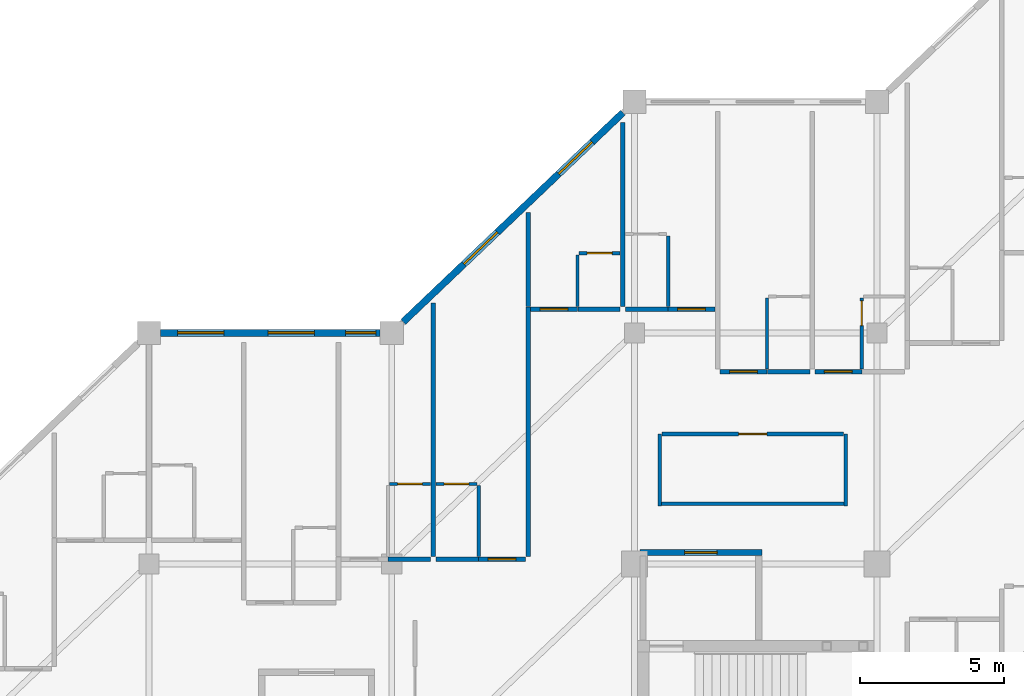
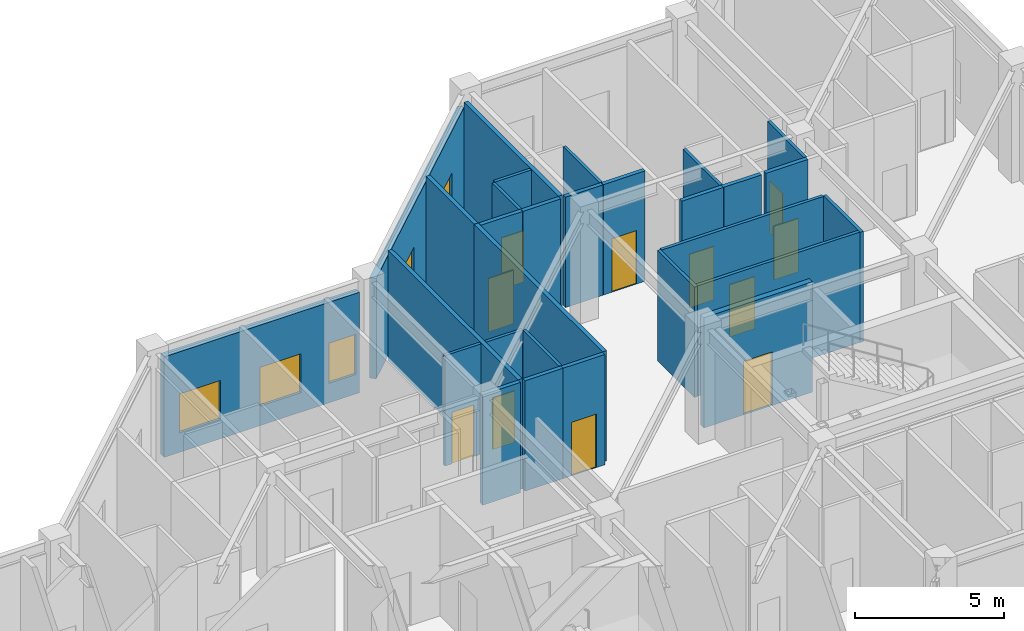
# One storey, part 31 of 37: 29 walls, 11 doors, 5 windows, 16 openings.
"""IFC4 building model written with IfcOpenShell, lengths in metres."""

from ifc_helpers import new_model, si_unit, direction, frame, frame_2d, origin, place, context, subcontext, project, spatial, rectangle, extrude, material, layer, layer_set, type_object, element, fill, save


model = new_model("IFC4")

# Units and contexts
model_context = context("Model", 3, precision=1e-05, world=origin(), true_north=direction((0.0, 1.0)))
body_context = subcontext(model_context, "Body", "Model", "MODEL_VIEW")
ifc_project = project(units=[si_unit("LENGTHUNIT", "METRE"), si_unit("AREAUNIT", "SQUARE_METRE"), si_unit("VOLUMEUNIT", "CUBIC_METRE"), si_unit("PLANEANGLEUNIT", "RADIAN"), si_unit("MASSUNIT", "GRAM", prefix="KILO")], contexts=[model_context])

# Site, building, storey
site_placement = place(None, origin())
site = spatial("IfcSite", under=ifc_project, at=site_placement, CompositionType="ELEMENT")
building_placement = place(site_placement, origin())
building = spatial("IfcBuilding", under=site, at=building_placement, Name="Naruveol Harbour Congress Hotel", CompositionType="ELEMENT")
storey_placement = place(building_placement, frame((0.0, 0.0, 16.199951171875)))
storey = spatial("IfcBuildingStorey", under=building, at=storey_placement, Name="L03", CompositionType="ELEMENT", Elevation=16.199951171875)

# Wall, opening, door
ifc_material_1 = material(Name="Moisture-Resistant Gypsum Partition", Category="gypsum")
ifc_layer_1 = layer(ifc_material_1, 0.114990234375)
ifc_layer_set_1 = layer_set([ifc_layer_1], Name="Moisture-Resistant Gypsum Partition")
wall_type_1 = type_object("IfcWallType", Name="BATHROOM MOISTURE PARTITION WALL 115", PredefinedType="PARTITIONING", material=ifc_layer_set_1)
wall_1_placement = place(storey_placement, frame((159.530029296875, 34.77001953125, 0.0), z_axis=(0.0, 0.0, 1.0), x_axis=(1.0, 0.0, 0.0)))
wall_1 = element("IfcWall", 1, at=wall_1_placement, inside=storey, type_object=wall_type_1, Name="Bathroom north wall 0469 PW-115", PredefinedType="PARTITIONING", context=body_context, shape_type="SweptSolid", body=[
    extrude(rectangle(XDim=1.409912109375, YDim=0.114990234375, at=frame_2d((0.705078125, 0.0))), origin(), (0.0, 0.0, 1.0), 4.53515625),
])
opening_1_placement = place(wall_1_placement, frame((0.27490234375, 0.0, 0.0)))
opening_1 = element("IfcOpeningElement", 2, at=opening_1_placement, cuts=wall_1, Name="Opening BD-RM0469", PredefinedType="OPENING", context=body_context, shape_type="SweptSolid", body=[
    extrude(rectangle(XDim=0.860107421875, YDim=2.1201171875, at=frame_2d((0.43017578125, 1.06005859375))), frame((0.0, 0.0673828125, 0.0), z_axis=(0.0, -1.0, 0.0), x_axis=(1.0, 0.0, 0.0)), (0.0, 0.0, 1.0), 0.135009765625),
])
ifc_material_2 = material(Name="Timber & Steel Acoustic Leaf", Category="steel")
door_type_1 = type_object("IfcDoorType", Name="GUEST BATHROOM DOOR 860X2120", OperationType="NOTDEFINED", PredefinedType="DOOR", material=ifc_material_2)
door_1_placement = place(opening_1_placement, origin())
door_1 = element("IfcDoor", 3, at=door_1_placement, inside=storey, type_object=door_type_1, Name="Bathroom Door 0469", OperationType="SINGLE_SWING_RIGHT", OverallHeight=2.1201171875, OverallWidth=0.860107421875, PredefinedType="DOOR", context=body_context, shape_type="SweptSolid", body=[
    extrude(rectangle(XDim=0.860107421875, YDim=2.1201171875, at=frame_2d((0.43017578125, 1.06005859375))), frame((0.0, 0.02490234375, 0.0), z_axis=(0.0, -1.0, 0.0), x_axis=(1.0, 0.0, 0.0)), (0.0, 0.0, 1.0), 0.050048828125),
])
fill(opening_1, door_1)

# Wall
wall_2_placement = place(storey_placement, frame((162.610107421875, 32.260009765625, 0.0), z_axis=(0.0, 0.0, 1.0), x_axis=(0.0, 1.0, 0.0)))
element("IfcWall", 4, at=wall_2_placement, inside=storey, type_object=wall_type_1, Name="Bathroom east wall 0470 PW-115", PredefinedType="PARTITIONING", context=body_context, shape_type="SweptSolid", body=[
    extrude(rectangle(XDim=2.449951171875, YDim=0.114990234375, at=frame_2d((1.22509765625, 0.0))), origin(), (0.0, 0.0, 1.0), 4.53515625),
])

# Wall, opening, door
wall_3_placement = place(storey_placement, frame((161.139892578125, 34.77001953125, 0.0), z_axis=(0.0, 0.0, 1.0), x_axis=(1.0, 0.0, 0.0)))
wall_3 = element("IfcWall", 5, at=wall_3_placement, inside=storey, type_object=wall_type_1, Name="Bathroom north wall 0470 PW-115", PredefinedType="PARTITIONING", context=body_context, shape_type="SweptSolid", body=[
    extrude(rectangle(XDim=1.41015625, YDim=0.114990234375, at=frame_2d((0.705078125, 0.0))), origin(), (0.0, 0.0, 1.0), 4.53515625),
])
opening_2_placement = place(wall_3_placement, frame((0.27490234375, 0.0, 0.0)))
opening_2 = element("IfcOpeningElement", 6, at=opening_2_placement, cuts=wall_3, Name="Opening BD-RM0470", PredefinedType="OPENING", context=body_context, shape_type="SweptSolid", body=[
    extrude(rectangle(XDim=0.860107421875, YDim=2.1201171875, at=frame_2d((0.43017578125, 1.06005859375))), frame((0.0, 0.0673828125, 0.0), z_axis=(0.0, -1.0, 0.0), x_axis=(1.0, 0.0, 0.0)), (0.0, 0.0, 1.0), 0.135009765625),
])
door_2_placement = place(opening_2_placement, origin())
door_2 = element("IfcDoor", 7, at=door_2_placement, inside=storey, type_object=door_type_1, Name="Bathroom Door 0470", OperationType="SINGLE_SWING_RIGHT", OverallHeight=2.1201171875, OverallWidth=0.860107421875, PredefinedType="DOOR", context=body_context, shape_type="SweptSolid", body=[
    extrude(rectangle(XDim=0.860107421875, YDim=2.1201171875, at=frame_2d((0.43017578125, 1.06005859375))), frame((0.0, 0.02490234375, 0.0), z_axis=(0.0, -1.0, 0.0), x_axis=(1.0, 0.0, 0.0)), (0.0, 0.0, 1.0), 0.050048828125),
])
fill(opening_2, door_2)

# Wall
wall_4_placement = place(storey_placement, frame((166.030029296875, 40.909912109375, 0.0), z_axis=(0.0, 0.0, 1.0), x_axis=(0.0, 1.0, 0.0)))
element("IfcWall", 8, at=wall_4_placement, inside=storey, type_object=wall_type_1, Name="Bathroom west wall 0471 PW-115", PredefinedType="PARTITIONING", context=body_context, shape_type="SweptSolid", body=[
    extrude(rectangle(XDim=1.7900390625, YDim=0.114990234375, at=frame_2d((0.89501953125, 0.0))), origin(), (0.0, 0.0, 1.0), 4.53515625),
])

# Wall, opening, door
wall_5_placement = place(storey_placement, frame((166.090087890625, 42.760009765625, 0.0), z_axis=(0.0, 0.0, 1.0), x_axis=(1.0, 0.0, 0.0)))
wall_5 = element("IfcWall", 9, at=wall_5_placement, inside=storey, type_object=wall_type_1, Name="Bathroom north wall 0471 PW-115", PredefinedType="PARTITIONING", context=body_context, shape_type="SweptSolid", body=[
    extrude(rectangle(XDim=1.409912109375, YDim=0.114990234375, at=frame_2d((0.705078125, 0.0))), origin(), (0.0, 0.0, 1.0), 4.53515625),
])
opening_3_placement = place(wall_5_placement, frame((0.27490234375, 0.0, 0.0)))
opening_3 = element("IfcOpeningElement", 10, at=opening_3_placement, cuts=wall_5, Name="Opening BD-RM0471", PredefinedType="OPENING", context=body_context, shape_type="SweptSolid", body=[
    extrude(rectangle(XDim=0.860107421875, YDim=2.1201171875, at=frame_2d((0.43017578125, 1.06005859375))), frame((0.0, 0.0673828125, 0.0), z_axis=(0.0, -1.0, 0.0), x_axis=(1.0, 0.0, 0.0)), (0.0, 0.0, 1.0), 0.135009765625),
])
door_3_placement = place(opening_3_placement, origin())
door_3 = element("IfcDoor", 11, at=door_3_placement, inside=storey, type_object=door_type_1, Name="Bathroom Door 0471", OperationType="SINGLE_SWING_RIGHT", OverallHeight=2.1201171875, OverallWidth=0.860107421875, PredefinedType="DOOR", context=body_context, shape_type="SweptSolid", body=[
    extrude(rectangle(XDim=0.860107421875, YDim=2.1201171875, at=frame_2d((0.43017578125, 1.06005859375))), frame((0.0, 0.02490234375, 0.0), z_axis=(0.0, -1.0, 0.0), x_axis=(1.0, 0.0, 0.0)), (0.0, 0.0, 1.0), 0.050048828125),
])
fill(opening_3, door_3)

# Walls
wall_6_placement = place(storey_placement, frame((169.169921875, 40.909912109375, 0.0), z_axis=(0.0, 0.0, 1.0), x_axis=(0.0, 1.0, 0.0)))
element("IfcWall", 12, at=wall_6_placement, inside=storey, type_object=wall_type_1, Name="Bathroom east wall 0472 PW-115", PredefinedType="PARTITIONING", context=body_context, shape_type="SweptSolid", body=[
    extrude(rectangle(XDim=2.4501953125, YDim=0.114990234375, at=frame_2d((1.22509765625, 0.0))), origin(), (0.0, 0.0, 1.0), 4.53515625),
])
wall_7_placement = place(storey_placement, frame((172.590087890625, 38.75, 0.0), z_axis=(0.0, 0.0, 1.0), x_axis=(0.0, 1.0, 0.0)))
element("IfcWall", 13, at=wall_7_placement, inside=storey, type_object=wall_type_1, Name="Bathroom west wall 0473 PW-115", PredefinedType="PARTITIONING", context=body_context, shape_type="SweptSolid", body=[
    extrude(rectangle(XDim=2.449951171875, YDim=0.114990234375, at=frame_2d((1.22509765625, 0.0))), origin(), (0.0, 0.0, 1.0), 4.53515625),
])

# Wall, opening, door
wall_8_placement = place(storey_placement, frame((175.8701171875, 38.75, 0.0), z_axis=(0.0, 0.0, 1.0), x_axis=(0.0, 1.0, 0.0)))
wall_8 = element("IfcWall", 14, at=wall_8_placement, inside=storey, type_object=wall_type_1, Name="Bathroom west wall 0474 PW-115", PredefinedType="PARTITIONING", context=body_context, shape_type="SweptSolid", body=[
    extrude(rectangle(XDim=2.449951171875, YDim=0.114990234375, at=frame_2d((1.22509765625, 0.0))), origin(), (0.0, 0.0, 1.0), 4.53515625),
])
opening_4_placement = place(wall_8_placement, frame((1.5, 0.0, 0.0)))
opening_4 = element("IfcOpeningElement", 15, at=opening_4_placement, cuts=wall_8, Name="Opening BD-RM0474", PredefinedType="OPENING", context=body_context, shape_type="SweptSolid", body=[
    extrude(rectangle(XDim=0.860107421875, YDim=2.1201171875, at=frame_2d((0.43017578125, 1.06005859375))), frame((0.0, 0.0673828125, 0.0), z_axis=(0.0, -1.0, 0.0), x_axis=(1.0, 0.0, 0.0)), (0.0, 0.0, 1.0), 0.135009765625),
])
door_4_placement = place(opening_4_placement, origin())
door_4 = element("IfcDoor", 16, at=door_4_placement, inside=storey, type_object=door_type_1, Name="Bathroom Door 0474", OperationType="SINGLE_SWING_RIGHT", OverallHeight=2.1201171875, OverallWidth=0.860107421875, PredefinedType="DOOR", context=body_context, shape_type="SweptSolid", body=[
    extrude(rectangle(XDim=0.860107421875, YDim=2.1201171875, at=frame_2d((0.43017578125, 1.06005859375))), frame((0.0, 0.02490234375, 0.0), z_axis=(0.0, -1.0, 0.0), x_axis=(1.0, 0.0, 0.0)), (0.0, 0.0, 1.0), 0.050048828125),
])
fill(opening_4, door_4)

ifc_material_3 = material(Name="Concrete C40/50", Category="concrete")
ifc_layer_2 = layer(ifc_material_3, 0.219970703125)
ifc_layer_set_2 = layer_set([ifc_layer_2], Name="Concrete C40/50")
wall_type_2 = type_object("IfcWallType", Name="FIRE COMPARTMENT AND LOBBY WALL 220 EI120", PredefinedType="PARTITIONING", material=ifc_layer_set_2)
wall_9_placement = place(storey_placement, frame((168.18994140625, 32.39990234375, 0.0), z_axis=(0.0, 0.0, 1.0), x_axis=(1.0, 0.0, 0.0)))
wall_9 = element("IfcWall", 17, at=wall_9_placement, inside=storey, type_object=wall_type_2, Name="Smoke vestibule ST4 north wall FW-220", PredefinedType="PARTITIONING", context=body_context, shape_type="SweptSolid", body=[
    extrude(rectangle(XDim=4.219970703125, YDim=0.219970703125, at=frame_2d((2.10986328125, 0.0))), origin(), (0.0, 0.0, 1.0), 4.53515625),
])
opening_5_placement = place(wall_9_placement, frame((1.550048828125, 0.0, 0.0)))
opening_5 = element("IfcOpeningElement", 18, at=opening_5_placement, cuts=wall_9, Name="Opening FD-ST4-V-L03", PredefinedType="OPENING", context=body_context, shape_type="SweptSolid", body=[
    extrude(rectangle(XDim=1.1201171875, YDim=2.199951171875, at=frame_2d((0.56005859375, 1.10009765625))), frame((0.0, 0.119873046875, 0.0), z_axis=(0.0, -1.0, 0.0), x_axis=(1.0, 0.0, 0.0)), (0.0, 0.0, 1.0), 0.239990234375),
])
ifc_material_4 = material(Name="Timber & Steel Acoustic Leaf", Category="steel")
door_type_2 = type_object("IfcDoorType", Name="VESTIBULE SMOKE CONTROL FIRE DOOR 1120X2200", OperationType="NOTDEFINED", PredefinedType="DOOR", material=ifc_material_4)
door_5_placement = place(opening_5_placement, origin())
door_5 = element("IfcDoor", 19, at=door_5_placement, inside=storey, type_object=door_type_2, Name="Smoke Vestibule Entry Door ST4 L03", OperationType="SINGLE_SWING_LEFT", OverallHeight=2.199951171875, OverallWidth=1.1201171875, PredefinedType="DOOR", context=body_context, shape_type="SweptSolid", body=[
    extrude(rectangle(XDim=1.1201171875, YDim=2.199951171875, at=frame_2d((0.56005859375, 1.10009765625))), frame((0.0, 0.02490234375, 0.0), z_axis=(0.0, -1.0, 0.0), x_axis=(1.0, 0.0, 0.0)), (0.0, 0.0, 1.0), 0.050048828125),
])
fill(opening_5, door_5)

# Walls
ifc_material_5 = material(Name="Autoclaved Aerated Concrete Block", Category="concrete")
ifc_layer_3 = layer(ifc_material_5, 0.159912109375)
ifc_layer_set_3 = layer_set([ifc_layer_3], Name="Autoclaved Aerated Concrete Block")
wall_type_3 = type_object("IfcWallType", Name="HOTEL PARTY AND CORRIDOR WALL 160 EI60", PredefinedType="PARTITIONING", material=ifc_layer_set_3)
wall_10_placement = place(storey_placement, frame((159.47998046875, 32.169921875, 0.0), z_axis=(0.0, 0.0, 1.0), x_axis=(1.0, 0.0, 0.0)))
element("IfcWall", 20, at=wall_10_placement, inside=storey, type_object=wall_type_3, Name="Corridor wall 0469B PW-160", PredefinedType="PARTITIONING", context=body_context, shape_type="SweptSolid", body=[
    extrude(rectangle(XDim=1.469970703125, YDim=0.159912109375, at=frame_2d((0.73486328125, 0.0))), origin(), (0.0, 0.0, 1.0), 4.53515625),
])
wall_11_placement = place(storey_placement, frame((161.1298828125, 32.169921875, 0.0), z_axis=(0.0, 0.0, 1.0), x_axis=(1.0, 0.0, 0.0)))
element("IfcWall", 21, at=wall_11_placement, inside=storey, type_object=wall_type_3, Name="Corridor wall 0470B PW-160", PredefinedType="PARTITIONING", context=body_context, shape_type="SweptSolid", body=[
    extrude(rectangle(XDim=1.47021484375, YDim=0.159912109375, at=frame_2d((0.735107421875, 0.0))), origin(), (0.0, 0.0, 1.0), 4.53515625),
])

# Wall, opening, door
wall_12_placement = place(storey_placement, frame((162.610107421875, 32.169921875, 0.0), z_axis=(0.0, 0.0, 1.0), x_axis=(1.0, 0.0, 0.0)))
wall_12 = element("IfcWall", 22, at=wall_12_placement, inside=storey, type_object=wall_type_3, Name="Corridor entry wall 0470 PW-160", PredefinedType="PARTITIONING", context=body_context, shape_type="SweptSolid", body=[
    extrude(rectangle(XDim=1.619873046875, YDim=0.159912109375, at=frame_2d((0.81005859375, 0.0))), origin(), (0.0, 0.0, 1.0), 4.53515625),
])
opening_6_placement = place(wall_12_placement, frame((0.330078125, 0.0, 0.0)))
opening_6 = element("IfcOpeningElement", 23, at=opening_6_placement, cuts=wall_12, Name="Opening FD-RM0470", PredefinedType="OPENING", context=body_context, shape_type="SweptSolid", body=[
    extrude(rectangle(XDim=0.9599609375, YDim=2.199951171875, at=frame_2d((0.47998046875, 1.10009765625))), frame((0.0, 0.08984375, 0.0), z_axis=(0.0, -1.0, 0.0), x_axis=(1.0, 0.0, 0.0)), (0.0, 0.0, 1.0), 0.179931640625),
])
ifc_material_6 = material(Name="Timber & Steel Acoustic Leaf", Category="steel")
door_type_3 = type_object("IfcDoorType", Name="GUEST ROOM ENTRANCE FIRE DOOR 960X2200", OperationType="NOTDEFINED", PredefinedType="DOOR", material=ifc_material_6)
door_6_placement = place(opening_6_placement, origin())
door_6 = element("IfcDoor", 24, at=door_6_placement, inside=storey, type_object=door_type_3, Name="Hotel Room Door 0470", OperationType="SINGLE_SWING_LEFT", OverallHeight=2.199951171875, OverallWidth=0.9599609375, PredefinedType="DOOR", context=body_context, shape_type="SweptSolid", body=[
    extrude(rectangle(XDim=0.9599609375, YDim=2.199951171875, at=frame_2d((0.47998046875, 1.10009765625))), frame((0.0, 0.02490234375, 0.0), z_axis=(0.0, -1.0, 0.0), x_axis=(1.0, 0.0, 0.0)), (0.0, 0.0, 1.0), 0.050048828125),
])
fill(opening_6, door_6)

# Walls
wall_13_placement = place(storey_placement, frame((161.0400390625, 32.260009765625, 0.0), z_axis=(0.0, 0.0, 1.0), x_axis=(0.0, 1.0, 0.0)))
element("IfcWall", 25, at=wall_13_placement, inside=storey, type_object=wall_type_3, Name="Hotel party wall 0470 PW-160", PredefinedType="PARTITIONING", context=body_context, shape_type="SweptSolid", body=[
    extrude(rectangle(XDim=8.77001953125, YDim=0.159912109375, at=frame_2d((4.385009765625, 0.0))), origin(), (0.0, 0.0, 1.0), 4.53515625),
])
wall_14_placement = place(storey_placement, frame((164.320068359375, 32.260009765625, 0.0), z_axis=(0.0, 0.0, 1.0), x_axis=(0.0, 1.0, 0.0)))
element("IfcWall", 26, at=wall_14_placement, inside=storey, type_object=wall_type_3, Name="Hotel end party wall 0470 PW-160", PredefinedType="PARTITIONING", context=body_context, shape_type="SweptSolid", body=[
    extrude(rectangle(XDim=8.639892578125, YDim=0.159912109375, at=frame_2d((4.31982421875, 0.0))), origin(), (0.0, 0.0, 1.0), 4.53515625),
])

# Wall, opening, door
wall_15_placement = place(storey_placement, frame((164.409912109375, 40.820068359375, 0.0), z_axis=(0.0, 0.0, 1.0), x_axis=(1.0, 0.0, 0.0)))
wall_15 = element("IfcWall", 27, at=wall_15_placement, inside=storey, type_object=wall_type_3, Name="Corridor entry wall 0471 PW-160", PredefinedType="PARTITIONING", context=body_context, shape_type="SweptSolid", body=[
    extrude(rectangle(XDim=1.6201171875, YDim=0.159912109375, at=frame_2d((0.81005859375, 0.0))), origin(), (0.0, 0.0, 1.0), 4.53515625),
])
opening_7_placement = place(wall_15_placement, frame((0.330078125, 0.0, 0.0)))
opening_7 = element("IfcOpeningElement", 28, at=opening_7_placement, cuts=wall_15, Name="Opening FD-RM0471", PredefinedType="OPENING", context=body_context, shape_type="SweptSolid", body=[
    extrude(rectangle(XDim=0.9599609375, YDim=2.199951171875, at=frame_2d((0.47998046875, 1.10009765625))), frame((0.0, 0.08984375, 0.0), z_axis=(0.0, -1.0, 0.0), x_axis=(1.0, 0.0, 0.0)), (0.0, 0.0, 1.0), 0.179931640625),
])
door_7_placement = place(opening_7_placement, origin())
door_7 = element("IfcDoor", 29, at=door_7_placement, inside=storey, type_object=door_type_3, Name="Hotel Room Door 0471", OperationType="SINGLE_SWING_LEFT", OverallHeight=2.199951171875, OverallWidth=0.9599609375, PredefinedType="DOOR", context=body_context, shape_type="SweptSolid", body=[
    extrude(rectangle(XDim=0.9599609375, YDim=2.199951171875, at=frame_2d((0.47998046875, 1.10009765625))), frame((0.0, 0.02490234375, 0.0), z_axis=(0.0, -1.0, 0.0), x_axis=(1.0, 0.0, 0.0)), (0.0, 0.0, 1.0), 0.050048828125),
])
fill(opening_7, door_7)

# Walls
wall_16_placement = place(storey_placement, frame((166.0400390625, 40.820068359375, 0.0), z_axis=(0.0, 0.0, 1.0), x_axis=(1.0, 0.0, 0.0)))
element("IfcWall", 30, at=wall_16_placement, inside=storey, type_object=wall_type_3, Name="Corridor wall 0471B PW-160", PredefinedType="PARTITIONING", context=body_context, shape_type="SweptSolid", body=[
    extrude(rectangle(XDim=1.469970703125, YDim=0.159912109375, at=frame_2d((0.73486328125, 0.0))), origin(), (0.0, 0.0, 1.0), 4.53515625),
])
wall_17_placement = place(storey_placement, frame((164.320068359375, 40.909912109375, 0.0), z_axis=(0.0, 0.0, 1.0), x_axis=(0.0, 1.0, 0.0)))
element("IfcWall", 31, at=wall_17_placement, inside=storey, type_object=wall_type_3, Name="Hotel party wall 0471 PW-160", PredefinedType="PARTITIONING", context=body_context, shape_type="SweptSolid", body=[
    extrude(rectangle(XDim=3.25, YDim=0.159912109375, at=frame_2d((1.625, 0.0))), origin(), (0.0, 0.0, 1.0), 4.53515625),
])
wall_18_placement = place(storey_placement, frame((167.68994140625, 40.820068359375, 0.0), z_axis=(0.0, 0.0, 1.0), x_axis=(1.0, 0.0, 0.0)))
element("IfcWall", 32, at=wall_18_placement, inside=storey, type_object=wall_type_3, Name="Corridor wall 0472B PW-160", PredefinedType="PARTITIONING", context=body_context, shape_type="SweptSolid", body=[
    extrude(rectangle(XDim=1.469970703125, YDim=0.159912109375, at=frame_2d((0.73486328125, 0.0))), origin(), (0.0, 0.0, 1.0), 4.53515625),
])

# Wall, opening, door
wall_19_placement = place(storey_placement, frame((169.169921875, 40.820068359375, 0.0), z_axis=(0.0, 0.0, 1.0), x_axis=(1.0, 0.0, 0.0)))
wall_19 = element("IfcWall", 33, at=wall_19_placement, inside=storey, type_object=wall_type_3, Name="Corridor entry wall 0472 PW-160", PredefinedType="PARTITIONING", context=body_context, shape_type="SweptSolid", body=[
    extrude(rectangle(XDim=1.6201171875, YDim=0.159912109375, at=frame_2d((0.81005859375, 0.0))), origin(), (0.0, 0.0, 1.0), 4.53515625),
])
opening_8_placement = place(wall_19_placement, frame((0.330078125, 0.0, 0.0)))
opening_8 = element("IfcOpeningElement", 34, at=opening_8_placement, cuts=wall_19, Name="Opening FD-RM0472", PredefinedType="OPENING", context=body_context, shape_type="SweptSolid", body=[
    extrude(rectangle(XDim=0.9599609375, YDim=2.199951171875, at=frame_2d((0.47998046875, 1.10009765625))), frame((0.0, 0.08984375, 0.0), z_axis=(0.0, -1.0, 0.0), x_axis=(1.0, 0.0, 0.0)), (0.0, 0.0, 1.0), 0.179931640625),
])
door_8_placement = place(opening_8_placement, origin())
door_8 = element("IfcDoor", 35, at=door_8_placement, inside=storey, type_object=door_type_3, Name="Hotel Room Door 0472", OperationType="SINGLE_SWING_LEFT", OverallHeight=2.199951171875, OverallWidth=0.9599609375, PredefinedType="DOOR", context=body_context, shape_type="SweptSolid", body=[
    extrude(rectangle(XDim=0.9599609375, YDim=2.199951171875, at=frame_2d((0.47998046875, 1.10009765625))), frame((0.0, 0.02490234375, 0.0), z_axis=(0.0, -1.0, 0.0), x_axis=(1.0, 0.0, 0.0)), (0.0, 0.0, 1.0), 0.050048828125),
])
fill(opening_8, door_8)

# Wall
wall_20_placement = place(storey_placement, frame((167.60009765625, 40.909912109375, 0.0), z_axis=(0.0, 0.0, 1.0), x_axis=(0.0, 1.0, 0.0)))
element("IfcWall", 36, at=wall_20_placement, inside=storey, type_object=wall_type_3, Name="Hotel party wall 0472 PW-160", PredefinedType="PARTITIONING", context=body_context, shape_type="SweptSolid", body=[
    extrude(rectangle(XDim=6.3701171875, YDim=0.159912109375, at=frame_2d((3.18505859375, 0.0))), origin(), (0.0, 0.0, 1.0), 4.53515625),
])

# Wall, opening, door
wall_21_placement = place(storey_placement, frame((170.969970703125, 38.659912109375, 0.0), z_axis=(0.0, 0.0, 1.0), x_axis=(1.0, 0.0, 0.0)))
wall_21 = element("IfcWall", 37, at=wall_21_placement, inside=storey, type_object=wall_type_3, Name="Corridor entry wall 0473 PW-160", PredefinedType="PARTITIONING", context=body_context, shape_type="SweptSolid", body=[
    extrude(rectangle(XDim=1.6201171875, YDim=0.159912109375, at=frame_2d((0.81005859375, 0.0))), origin(), (0.0, 0.0, 1.0), 4.53515625),
])
opening_9_placement = place(wall_21_placement, frame((0.330078125, 0.0, 0.0)))
opening_9 = element("IfcOpeningElement", 38, at=opening_9_placement, cuts=wall_21, Name="Opening FD-RM0473", PredefinedType="OPENING", context=body_context, shape_type="SweptSolid", body=[
    extrude(rectangle(XDim=0.9599609375, YDim=2.199951171875, at=frame_2d((0.47998046875, 1.10009765625))), frame((0.0, 0.08984375, 0.0), z_axis=(0.0, -1.0, 0.0), x_axis=(1.0, 0.0, 0.0)), (0.0, 0.0, 1.0), 0.179931640625),
])
door_9_placement = place(opening_9_placement, origin())
door_9 = element("IfcDoor", 39, at=door_9_placement, inside=storey, type_object=door_type_3, Name="Hotel Room Door 0473", OperationType="SINGLE_SWING_LEFT", OverallHeight=2.199951171875, OverallWidth=0.9599609375, PredefinedType="DOOR", context=body_context, shape_type="SweptSolid", body=[
    extrude(rectangle(XDim=0.9599609375, YDim=2.199951171875, at=frame_2d((0.47998046875, 1.10009765625))), frame((0.0, 0.02490234375, 0.0), z_axis=(0.0, -1.0, 0.0), x_axis=(1.0, 0.0, 0.0)), (0.0, 0.0, 1.0), 0.050048828125),
])
fill(opening_9, door_9)

# Wall
wall_22_placement = place(storey_placement, frame((172.60009765625, 38.659912109375, 0.0), z_axis=(0.0, 0.0, 1.0), x_axis=(1.0, 0.0, 0.0)))
element("IfcWall", 40, at=wall_22_placement, inside=storey, type_object=wall_type_3, Name="Corridor wall 0473B PW-160", PredefinedType="PARTITIONING", context=body_context, shape_type="SweptSolid", body=[
    extrude(rectangle(XDim=1.469970703125, YDim=0.159912109375, at=frame_2d((0.73486328125, 0.0))), origin(), (0.0, 0.0, 1.0), 4.53515625),
])

# Wall, opening, door
wall_23_placement = place(storey_placement, frame((174.25, 38.659912109375, 0.0), z_axis=(0.0, 0.0, 1.0), x_axis=(1.0, 0.0, 0.0)))
wall_23 = element("IfcWall", 41, at=wall_23_placement, inside=storey, type_object=wall_type_3, Name="Corridor entry wall 0474 PW-160", PredefinedType="PARTITIONING", context=body_context, shape_type="SweptSolid", body=[
    extrude(rectangle(XDim=1.6201171875, YDim=0.159912109375, at=frame_2d((0.81005859375, 0.0))), origin(), (0.0, 0.0, 1.0), 4.53515625),
])
opening_10_placement = place(wall_23_placement, frame((0.330078125, 0.0, 0.0)))
opening_10 = element("IfcOpeningElement", 42, at=opening_10_placement, cuts=wall_23, Name="Opening FD-RM0474", PredefinedType="OPENING", context=body_context, shape_type="SweptSolid", body=[
    extrude(rectangle(XDim=0.9599609375, YDim=2.199951171875, at=frame_2d((0.47998046875, 1.10009765625))), frame((0.0, 0.08984375, 0.0), z_axis=(0.0, -1.0, 0.0), x_axis=(1.0, 0.0, 0.0)), (0.0, 0.0, 1.0), 0.179931640625),
])
door_10_placement = place(opening_10_placement, origin())
door_10 = element("IfcDoor", 43, at=door_10_placement, inside=storey, type_object=door_type_3, Name="Hotel Room Door 0474", OperationType="SINGLE_SWING_LEFT", OverallHeight=2.199951171875, OverallWidth=0.9599609375, PredefinedType="DOOR", context=body_context, shape_type="SweptSolid", body=[
    extrude(rectangle(XDim=0.9599609375, YDim=2.199951171875, at=frame_2d((0.47998046875, 1.10009765625))), frame((0.0, 0.02490234375, 0.0), z_axis=(0.0, -1.0, 0.0), x_axis=(1.0, 0.0, 0.0)), (0.0, 0.0, 1.0), 0.050048828125),
])
fill(opening_10, door_10)

# Wall, openings, windows
ifc_material_7 = material(Name="Concrete C40/50", Category="concrete")
ifc_layer_4 = layer(ifc_material_7, 0.239990234375)
ifc_layer_set_4 = layer_set([ifc_layer_4], Name="Concrete C40/50")
wall_type_4 = type_object("IfcWallType", Name="INSULATED HOTEL SPANDREL WALL 240", PredefinedType="SOLIDWALL", material=ifc_layer_set_4)
wall_24_placement = place(storey_placement, frame((151.60009765625, 40.0, 0.0), z_axis=(0.0, 0.0, 1.0), x_axis=(1.0, 0.0, 0.0)))
wall_24 = element("IfcWall", 44, at=wall_24_placement, inside=storey, type_object=wall_type_4, Name="Hotel north bay wall L03 EW-240", PredefinedType="SOLIDWALL", context=body_context, shape_type="SweptSolid", body=[
    extrude(rectangle(XDim=7.599853515625, YDim=0.239990234375, at=frame_2d((3.7998046875, 0.0))), origin(), (0.0, 0.0, 1.0), 4.130126953125),
])
opening_11_placement = place(wall_24_placement, frame((0.590087890625, 0.0, 0.800048828125)))
opening_11 = element("IfcOpeningElement", 45, at=opening_11_placement, cuts=wall_24, Name="Opening W-03", PredefinedType="OPENING", context=body_context, shape_type="SweptSolid", body=[
    extrude(rectangle(XDim=1.60009765625, YDim=1.60009765625, at=frame_2d((0.800048828125, 0.800048828125))), frame((0.0, 0.1298828125, 0.0), z_axis=(0.0, -1.0, 0.0), x_axis=(1.0, 0.0, 0.0)), (0.0, 0.0, 1.0), 0.260009765625),
])
opening_12_placement = place(wall_24_placement, frame((3.719970703125, 0.0, 0.800048828125)))
opening_12 = element("IfcOpeningElement", 46, at=opening_12_placement, cuts=wall_24, Name="Opening W-03", PredefinedType="OPENING", context=body_context, shape_type="SweptSolid", body=[
    extrude(rectangle(XDim=1.60009765625, YDim=1.60009765625, at=frame_2d((0.800048828125, 0.800048828125))), frame((0.0, 0.1298828125, 0.0), z_axis=(0.0, -1.0, 0.0), x_axis=(1.0, 0.0, 0.0)), (0.0, 0.0, 1.0), 0.260009765625),
])
opening_13_placement = place(wall_24_placement, frame((6.405029296875, 0.0, 0.800048828125)))
opening_13 = element("IfcOpeningElement", 47, at=opening_13_placement, cuts=wall_24, Name="Opening W-26", PredefinedType="OPENING", context=body_context, shape_type="SweptSolid", body=[
    extrude(rectangle(XDim=1.050048828125, YDim=1.64990234375, at=frame_2d((0.52490234375, 0.824951171875))), frame((0.0, 0.1298828125, 0.0), z_axis=(0.0, -1.0, 0.0), x_axis=(1.0, 0.0, 0.0)), (0.0, 0.0, 1.0), 0.260009765625),
])
ifc_material_8 = material(Name="Low-E Triple Glazing in Thermal Aluminium", Category="aluminium")
window_type_1 = type_object("IfcWindowType", Name="CORRIDOR END VIEW WINDOW 1050X1650", PartitioningType="SINGLE_PANEL", PredefinedType="WINDOW", material=ifc_material_8)
window_1_placement = place(opening_13_placement, origin())
window_1 = element("IfcWindow", 48, at=window_1_placement, inside=storey, type_object=window_type_1, Name="Window W-26 #250", OverallHeight=1.64990234375, OverallWidth=1.050048828125, PartitioningType="SINGLE_PANEL", PredefinedType="WINDOW", context=body_context, shape_type="SweptSolid", body=[
    extrude(rectangle(XDim=1.050048828125, YDim=1.64990234375, at=frame_2d((0.52490234375, 0.824951171875))), frame((0.0, 0.030029296875, 0.0), z_axis=(0.0, -1.0, 0.0), x_axis=(1.0, 0.0, 0.0)), (0.0, 0.0, 1.0), 0.06005859375),
])
fill(opening_13, window_1)
ifc_material_9 = material(Name="Low-E Triple Glazing in Thermal Aluminium", Category="aluminium")
window_type_2 = type_object("IfcWindowType", Name="DELUXE GUEST WINDOW 1600X1600", PartitioningType="SINGLE_PANEL", PredefinedType="WINDOW", material=ifc_material_9)
window_2_placement = place(opening_11_placement, origin())
window_2 = element("IfcWindow", 49, at=window_2_placement, inside=storey, type_object=window_type_2, Name="Window W-03 #248", OverallHeight=1.60009765625, OverallWidth=1.60009765625, PartitioningType="SINGLE_PANEL", PredefinedType="WINDOW", context=body_context, shape_type="SweptSolid", body=[
    extrude(rectangle(XDim=1.60009765625, YDim=1.60009765625, at=frame_2d((0.800048828125, 0.800048828125))), frame((0.0, 0.030029296875, 0.0), z_axis=(0.0, -1.0, 0.0), x_axis=(1.0, 0.0, 0.0)), (0.0, 0.0, 1.0), 0.06005859375),
])
fill(opening_11, window_2)
window_3_placement = place(opening_12_placement, origin())
window_3 = element("IfcWindow", 50, at=window_3_placement, inside=storey, type_object=window_type_2, Name="Window W-03 #249", OverallHeight=1.60009765625, OverallWidth=1.60009765625, PartitioningType="SINGLE_PANEL", PredefinedType="WINDOW", context=body_context, shape_type="SweptSolid", body=[
    extrude(rectangle(XDim=1.60009765625, YDim=1.60009765625, at=frame_2d((0.800048828125, 0.800048828125))), frame((0.0, 0.030029296875, 0.0), z_axis=(0.0, -1.0, 0.0), x_axis=(1.0, 0.0, 0.0)), (0.0, 0.0, 1.0), 0.06005859375),
])
fill(opening_12, window_3)

wall_25_placement = place(storey_placement, frame((160.0, 40.381103515625, 0.0), z_axis=(0.0, 0.0, 1.0), x_axis=(0.724156739794, 0.689635422677, 0.0)))
wall_25 = element("IfcWall", 51, at=wall_25_placement, inside=storey, type_object=wall_type_4, Name="Hotel north bay wall L03 EW-240", PredefinedType="SOLIDWALL", context=body_context, shape_type="SweptSolid", body=[
    extrude(rectangle(XDim=10.4951171875, YDim=0.239990234375, at=frame_2d((5.24755859375, 0.0))), origin(), (0.0, 0.0, 1.0), 4.130126953125),
])
opening_14_placement = place(wall_25_placement, frame((2.90087890625, 0.0, 0.800048828125)))
opening_14 = element("IfcOpeningElement", 52, at=opening_14_placement, cuts=wall_25, Name="Opening W-03", PredefinedType="OPENING", context=body_context, shape_type="SweptSolid", body=[
    extrude(rectangle(XDim=1.60009765625, YDim=1.60009765625, at=frame_2d((0.800048828125, 0.800048828125))), frame((0.0, 0.1298828125, 0.0), z_axis=(0.0, -1.0, 0.0), x_axis=(1.0, 0.0, 0.0)), (0.0, 0.0, 1.0), 0.260009765625),
])
opening_15_placement = place(wall_25_placement, frame((7.429931640625, 0.0, 0.800048828125)))
opening_15 = element("IfcOpeningElement", 53, at=opening_15_placement, cuts=wall_25, Name="Opening W-03", PredefinedType="OPENING", context=body_context, shape_type="SweptSolid", body=[
    extrude(rectangle(XDim=1.60009765625, YDim=1.60009765625, at=frame_2d((0.800048828125, 0.800048828125))), frame((0.0, 0.1298828125, 0.0), z_axis=(0.0, -1.0, 0.0), x_axis=(1.0, 0.0, 0.0)), (0.0, 0.0, 1.0), 0.260009765625),
])
window_4_placement = place(opening_14_placement, origin())
window_4 = element("IfcWindow", 54, at=window_4_placement, inside=storey, type_object=window_type_2, Name="Window W-03 #253", OverallHeight=1.60009765625, OverallWidth=1.60009765625, PartitioningType="SINGLE_PANEL", PredefinedType="WINDOW", context=body_context, shape_type="SweptSolid", body=[
    extrude(rectangle(XDim=1.60009765625, YDim=1.60009765625, at=frame_2d((0.800048828125, 0.800048828125))), frame((0.0, 0.030029296875, 0.0), z_axis=(0.0, -1.0, 0.0), x_axis=(1.0, 0.0, 0.0)), (0.0, 0.0, 1.0), 0.06005859375),
])
fill(opening_14, window_4)
window_5_placement = place(opening_15_placement, origin())
window_5 = element("IfcWindow", 55, at=window_5_placement, inside=storey, type_object=window_type_2, Name="Window W-03 #254", OverallHeight=1.60009765625, OverallWidth=1.60009765625, PartitioningType="SINGLE_PANEL", PredefinedType="WINDOW", context=body_context, shape_type="SweptSolid", body=[
    extrude(rectangle(XDim=1.60009765625, YDim=1.60009765625, at=frame_2d((0.800048828125, 0.800048828125))), frame((0.0, 0.030029296875, 0.0), z_axis=(0.0, -1.0, 0.0), x_axis=(1.0, 0.0, 0.0)), (0.0, 0.0, 1.0), 0.06005859375),
])
fill(opening_15, window_5)

# Wall, opening, door
ifc_material_10 = material(Name="Acoustic Double Stud Gypsum", Category="gypsum")
ifc_layer_5 = layer(ifc_material_10, 0.125)
ifc_layer_set_5 = layer_set([ifc_layer_5], Name="Acoustic Double Stud Gypsum")
wall_type_5 = type_object("IfcWallType", Name="SERVICE CHASE PARTITION WALL 125", PredefinedType="PARTITIONING", material=ifc_layer_set_5)
wall_26_placement = place(storey_placement, frame((168.9599609375, 36.5, 0.0), z_axis=(0.0, 0.0, 1.0), x_axis=(1.0, 0.0, 0.0)))
wall_26 = element("IfcWall", 56, at=wall_26_placement, inside=storey, type_object=wall_type_5, Name="Accessible Restroom north entry wall PW-125", PredefinedType="PARTITIONING", context=body_context, shape_type="SweptSolid", body=[
    extrude(rectangle(XDim=6.280029296875, YDim=0.125, at=frame_2d((3.14013671875, 0.0))), origin(), (0.0, 0.0, 1.0), 4.53515625),
])
opening_16_placement = place(wall_26_placement, frame((2.64990234375, 0.0, 0.0)))
opening_16 = element("IfcOpeningElement", 57, at=opening_16_placement, cuts=wall_26, Name="Opening BD-ACC-L03-94", PredefinedType="OPENING", context=body_context, shape_type="SweptSolid", body=[
    extrude(rectangle(XDim=0.97998046875, YDim=2.14990234375, at=frame_2d((0.489990234375, 1.074951171875))), frame((0.0, 0.072509765625, 0.0), z_axis=(0.0, -1.0, 0.0), x_axis=(1.0, 0.0, 0.0)), (0.0, 0.0, 1.0), 0.14501953125),
])
ifc_material_11 = material(Name="Timber & Steel Acoustic Leaf", Category="steel")
door_type_4 = type_object("IfcDoorType", Name="ACCESSIBLE RESTROOM DOOR 980X2150", OperationType="NOTDEFINED", PredefinedType="DOOR", material=ifc_material_11)
door_11_placement = place(opening_16_placement, origin())
door_11 = element("IfcDoor", 58, at=door_11_placement, inside=storey, type_object=door_type_4, Name="Accessible Restroom Door L03", OperationType="SINGLE_SWING_LEFT", OverallHeight=2.14990234375, OverallWidth=0.97998046875, PredefinedType="DOOR", context=body_context, shape_type="SweptSolid", body=[
    extrude(rectangle(XDim=0.97998046875, YDim=2.14990234375, at=frame_2d((0.489990234375, 1.074951171875))), frame((0.0, 0.02490234375, 0.0), z_axis=(0.0, -1.0, 0.0), x_axis=(1.0, 0.0, 0.0)), (0.0, 0.0, 1.0), 0.050048828125),
])
fill(opening_16, door_11)

# Walls
for number, where, z_axis, x_axis, name in (
    (59, (168.8798828125, 34.0, 0.0), (0.0, 0.0, 1.0), (0.0, 1.0, 0.0), "Accessible Restroom west enclosure partition PW-125"),
    (60, (175.320068359375, 34.0, 0.0), (0.0, 0.0, 1.0), (0.0, 1.0, 0.0), "Accessible Restroom east enclosure partition PW-125"),
):
    element("IfcWall", number, at=place(storey_placement, frame(where, z_axis=z_axis, x_axis=x_axis)), inside=storey, type_object=wall_type_5, Name=name, PredefinedType="PARTITIONING", context=body_context, shape_type="SweptSolid", body=[
        extrude(rectangle(XDim=2.49609375, YDim=0.125, at=frame_2d((1.248046875, 0.0))), origin(), (0.0, 0.0, 1.0), 4.53515625),
    ])
wall_27_placement = place(storey_placement, frame((168.943115234375, 34.080078125, 0.0), z_axis=(0.0, 0.0, 1.0), x_axis=(1.0, 0.0, 0.0)))
element("IfcWall", 61, at=wall_27_placement, inside=storey, type_object=wall_type_5, Name="Accessible Restroom south enclosure partition PW-125", PredefinedType="PARTITIONING", context=body_context, shape_type="SweptSolid", body=[
    extrude(rectangle(XDim=6.31396484375, YDim=0.125, at=frame_2d((3.156982421875, 0.0))), origin(), (0.0, 0.0, 1.0), 4.53515625),
])

save(model, "model.ifc")
